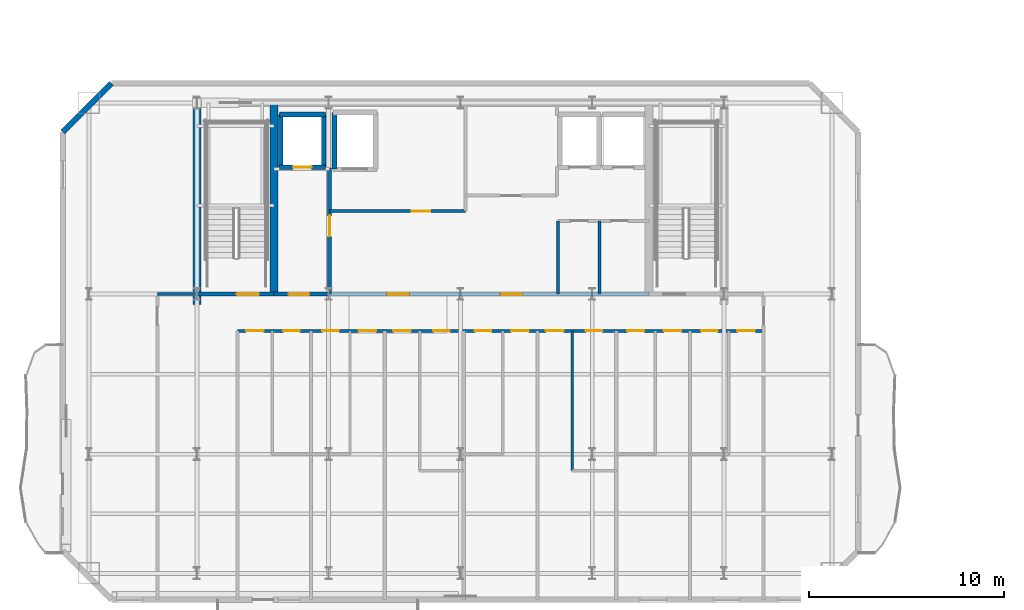
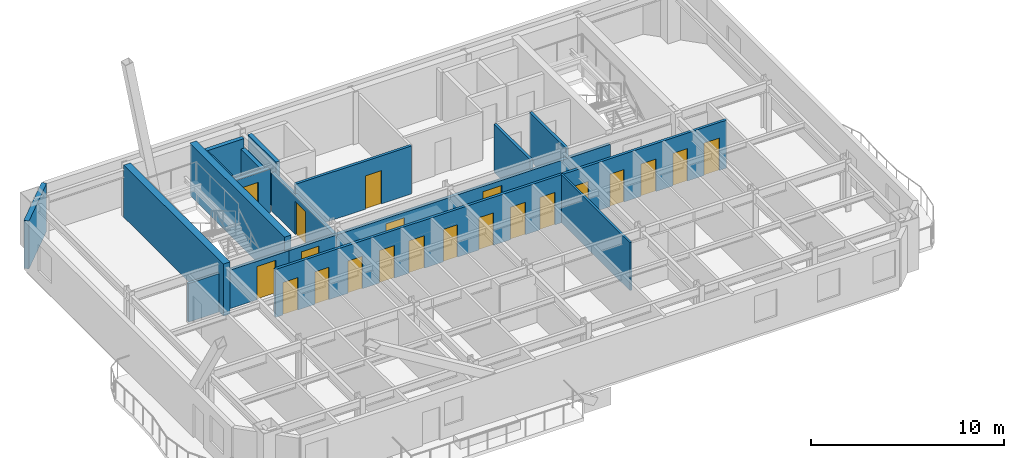
# One storey, part 6 of 14: 21 doors, 18 walls, 21 openings.
"""IFC4 building model written with IfcOpenShell, lengths in metres."""

from ifc_helpers import new_model, si_unit, direction, frame, frame_2d, origin, place, context, subcontext, project, spatial, rectangle, extrude, material, layer, layer_set, type_object, element, fill, save


model = new_model("IFC4")

# Units and contexts
model_context = context("Model", 3, precision=1e-05, world=origin(), true_north=direction((0.0, 1.0)))
body_context = subcontext(model_context, "Body", "Model", "MODEL_VIEW")
ifc_project = project(units=[si_unit("LENGTHUNIT", "METRE"), si_unit("AREAUNIT", "SQUARE_METRE"), si_unit("VOLUMEUNIT", "CUBIC_METRE"), si_unit("PLANEANGLEUNIT", "RADIAN"), si_unit("MASSUNIT", "GRAM", prefix="KILO")], contexts=[model_context])

# Site, building, storey
site_placement = place(None, origin())
site = spatial("IfcSite", under=ifc_project, at=site_placement, CompositionType="ELEMENT")
building_placement = place(site_placement, origin())
building = spatial("IfcBuilding", under=site, at=building_placement, Name="Haevon Station Towers", CompositionType="ELEMENT")
storey_placement = place(building_placement, frame((0.0, 0.0, 208.800048828125)))
storey = spatial("IfcBuildingStorey", under=building, at=storey_placement, Name="L57", CompositionType="ELEMENT", Elevation=208.800048828125)

# Wall, opening, door
ifc_material_1 = material(Name="Gypsum board on steel stud", Category="steel")
ifc_layer_1 = layer(ifc_material_1, 0.199951171875)
ifc_layer_set_1 = layer_set([ifc_layer_1], Name="Gypsum board on steel stud")
wall_type_1 = type_object("IfcWallType", Name="WL-COR200", PredefinedType="PARTITIONING", material=ifc_layer_set_1)
wall_1_placement = place(storey_placement, frame((24.0, 38.199951171875, 0.0), z_axis=(0.0, 0.0, 1.0), x_axis=(1.0, 0.0, 0.0)))
wall_1 = element("IfcWall", 1, at=wall_1_placement, inside=storey, type_object=wall_type_1, Name="WL-ST-ST1-L57", PredefinedType="PARTITIONING", context=body_context, shape_type="SweptSolid", body=[
    extrude(rectangle(XDim=3.949951171875, YDim=0.199951171875, at=frame_2d((1.97509765625, 0.0))), origin(), (0.0, 0.0, 1.0), 2.429931640625),
])
opening_1_placement = place(wall_1_placement, frame((2.050048828125, 0.0, 0.0)))
opening_1 = element("IfcOpeningElement", 2, at=opening_1_placement, cuts=wall_1, Name="Opening DR-ST-ST1-L57", PredefinedType="OPENING", context=body_context, shape_type="SweptSolid", body=[
    extrude(rectangle(XDim=1.1201171875, YDim=2.10009765625, at=frame_2d((0.56005859375, 1.050048828125))), frame((0.0, 0.10986328125, 0.0), z_axis=(0.0, -1.0, 0.0), x_axis=(1.0, 0.0, 0.0)), (0.0, 0.0, 1.0), 0.219970703125),
])
ifc_material_2 = material(Name="Engineered oak timber", Category="wood")
door_type_1 = type_object("IfcDoorType", Name="DR-ST-1120", OperationType="NOTDEFINED", PredefinedType="DOOR", material=ifc_material_2)
door_1_placement = place(opening_1_placement, origin())
door_1 = element("IfcDoor", 3, at=door_1_placement, inside=storey, type_object=door_type_1, Name="L57 Escape Stair ST1 Fire Door", OperationType="SINGLE_SWING_LEFT", OverallHeight=2.10009765625, OverallWidth=1.1201171875, PredefinedType="DOOR", context=body_context, shape_type="SweptSolid", body=[
    extrude(rectangle(XDim=1.1201171875, YDim=2.10009765625, at=frame_2d((0.56005859375, 1.050048828125))), frame((0.0, 0.02490234375, 0.0), z_axis=(0.0, -1.0, 0.0), x_axis=(1.0, 0.0, 0.0)), (0.0, 0.0, 1.0), 0.050048828125),
])
fill(opening_1, door_1)

wall_2_placement = place(storey_placement, frame((30.800048828125, 38.199951171875, 0.0), z_axis=(0.0, 0.0, 1.0), x_axis=(0.0, 1.0, 0.0)))
wall_2 = element("IfcWall", 4, at=wall_2_placement, inside=storey, type_object=wall_type_1, Name="WL-T1FFL-L57-E", PredefinedType="PARTITIONING", context=body_context, shape_type="SweptSolid", body=[
    extrude(rectangle(XDim=6.449951171875, YDim=0.199951171875, at=frame_2d((3.22509765625, 0.0))), origin(), (0.0, 0.0, 1.0), 2.429931640625),
])
opening_2_placement = place(wall_2_placement, frame((2.9599609375, 0.0, 0.0)))
opening_2 = element("IfcOpeningElement", 5, at=opening_2_placement, cuts=wall_2, Name="Opening DR-T1FFL-L57-E", PredefinedType="OPENING", context=body_context, shape_type="SweptSolid", body=[
    extrude(rectangle(XDim=1.050048828125, YDim=2.10009765625, at=frame_2d((0.52490234375, 1.050048828125))), frame((0.0, 0.10986328125, 0.0), z_axis=(0.0, -1.0, 0.0), x_axis=(1.0, 0.0, 0.0)), (0.0, 0.0, 1.0), 0.219970703125),
])
door_type_2 = type_object("IfcDoorType", Name="DR-FD60-1050", OperationType="NOTDEFINED", PredefinedType="DOOR", material=ifc_material_2)
door_2_placement = place(opening_2_placement, origin())
door_2 = element("IfcDoor", 6, at=door_2_placement, inside=storey, type_object=door_type_2, Name="L57 Tower 1 Firefighting Lift Lobby Door E", OperationType="SINGLE_SWING_LEFT", OverallHeight=2.10009765625, OverallWidth=1.050048828125, PredefinedType="DOOR", context=body_context, shape_type="SweptSolid", body=[
    extrude(rectangle(XDim=1.050048828125, YDim=2.10009765625, at=frame_2d((0.52490234375, 1.050048828125))), frame((0.0, 0.02490234375, 0.0), z_axis=(0.0, -1.0, 0.0), x_axis=(1.0, 0.0, 0.0)), (0.0, 0.0, 1.0), 0.050048828125),
])
fill(opening_2, door_2)

wall_3_placement = place(storey_placement, frame((27.949951171875, 38.199951171875, 0.0), z_axis=(0.0, 0.0, 1.0), x_axis=(1.0, 0.0, 0.0)))
wall_3 = element("IfcWall", 7, at=wall_3_placement, inside=storey, type_object=wall_type_1, Name="WL-T1FFL-L57-S", PredefinedType="PARTITIONING", context=body_context, shape_type="SweptSolid", body=[
    extrude(rectangle(XDim=2.85009765625, YDim=0.199951171875, at=frame_2d((1.425048828125, 0.0))), origin(), (0.0, 0.0, 1.0), 2.429931640625),
])
opening_3_placement = place(wall_3_placement, frame((0.75, 0.0, 0.0)))
opening_3 = element("IfcOpeningElement", 8, at=opening_3_placement, cuts=wall_3, Name="Opening DR-T1FFL-L57-S", PredefinedType="OPENING", context=body_context, shape_type="SweptSolid", body=[
    extrude(rectangle(XDim=1.050048828125, YDim=2.10009765625, at=frame_2d((0.52490234375, 1.050048828125))), frame((0.0, 0.10986328125, 0.0), z_axis=(0.0, -1.0, 0.0), x_axis=(1.0, 0.0, 0.0)), (0.0, 0.0, 1.0), 0.219970703125),
])
door_3_placement = place(opening_3_placement, origin())
door_3 = element("IfcDoor", 9, at=door_3_placement, inside=storey, type_object=door_type_2, Name="L57 Tower 1 Firefighting Lift Lobby Door S", OperationType="SINGLE_SWING_RIGHT", OverallHeight=2.10009765625, OverallWidth=1.050048828125, PredefinedType="DOOR", context=body_context, shape_type="SweptSolid", body=[
    extrude(rectangle(XDim=1.050048828125, YDim=2.10009765625, at=frame_2d((0.52490234375, 1.050048828125))), frame((0.0, 0.02490234375, 0.0), z_axis=(0.0, -1.0, 0.0), x_axis=(1.0, 0.0, 0.0)), (0.0, 0.0, 1.0), 0.050048828125),
])
fill(opening_3, door_3)

# Wall, openings, doors
wall_4_placement = place(storey_placement, frame((30.800048828125, 38.199951171875, 0.0), z_axis=(0.0, 0.0, 1.0), x_axis=(1.0, 0.0, 0.0)))
wall_4 = element("IfcWall", 10, at=wall_4_placement, inside=storey, type_object=wall_type_1, Name="WL-T1CLB-L57", PredefinedType="PARTITIONING", context=body_context, shape_type="SweptSolid", body=[
    extrude(rectangle(XDim=16.349853515625, YDim=0.199951171875, at=frame_2d((8.1748046875, 0.0))), origin(), (0.0, 0.0, 1.0), 2.429931640625),
])
opening_4_placement = place(wall_4_placement, frame((2.949951171875, 0.0, 0.0)))
opening_4 = element("IfcOpeningElement", 11, at=opening_4_placement, cuts=wall_4, Name="Opening DR-T1CLB-L57-1", PredefinedType="OPENING", context=body_context, shape_type="SweptSolid", body=[
    extrude(rectangle(XDim=1.1201171875, YDim=2.10009765625, at=frame_2d((0.56005859375, 1.050048828125))), frame((0.0, 0.10986328125, 0.0), z_axis=(0.0, -1.0, 0.0), x_axis=(1.0, 0.0, 0.0)), (0.0, 0.0, 1.0), 0.219970703125),
])
opening_5_placement = place(wall_4_placement, frame((8.75, 0.0, 0.0)))
opening_5 = element("IfcOpeningElement", 12, at=opening_5_placement, cuts=wall_4, Name="Opening DR-T1CLB-L57-2", PredefinedType="OPENING", context=body_context, shape_type="SweptSolid", body=[
    extrude(rectangle(XDim=1.1201171875, YDim=2.10009765625, at=frame_2d((0.56005859375, 1.050048828125))), frame((0.0, 0.10986328125, 0.0), z_axis=(0.0, -1.0, 0.0), x_axis=(1.0, 0.0, 0.0)), (0.0, 0.0, 1.0), 0.219970703125),
])
door_4_placement = place(opening_4_placement, origin())
door_4 = element("IfcDoor", 13, at=door_4_placement, inside=storey, type_object=door_type_1, Name="L57 Tower 1 Core Lift Lobby Door 1", OperationType="SINGLE_SWING_LEFT", OverallHeight=2.10009765625, OverallWidth=1.1201171875, PredefinedType="DOOR", context=body_context, shape_type="SweptSolid", body=[
    extrude(rectangle(XDim=1.1201171875, YDim=2.10009765625, at=frame_2d((0.56005859375, 1.050048828125))), frame((0.0, 0.02490234375, 0.0), z_axis=(0.0, -1.0, 0.0), x_axis=(1.0, 0.0, 0.0)), (0.0, 0.0, 1.0), 0.050048828125),
])
fill(opening_4, door_4)
door_5_placement = place(opening_5_placement, origin())
door_5 = element("IfcDoor", 14, at=door_5_placement, inside=storey, type_object=door_type_1, Name="L57 Tower 1 Core Lift Lobby Door 2", OperationType="SINGLE_SWING_RIGHT", OverallHeight=2.10009765625, OverallWidth=1.1201171875, PredefinedType="DOOR", context=body_context, shape_type="SweptSolid", body=[
    extrude(rectangle(XDim=1.1201171875, YDim=2.10009765625, at=frame_2d((0.56005859375, 1.050048828125))), frame((0.0, 0.02490234375, 0.0), z_axis=(0.0, -1.0, 0.0), x_axis=(1.0, 0.0, 0.0)), (0.0, 0.0, 1.0), 0.050048828125),
])
fill(opening_5, door_5)

# Walls
ifc_material_3 = material(Name="Concrete C60/75", Category="concrete")
ifc_layer_2 = layer(ifc_material_3, 0.39990234375)
ifc_layer_set_2 = layer_set([ifc_layer_2], Name="Concrete C60/75")
wall_type_2 = type_object("IfcWallType", Name="WL-CR400", PredefinedType="SHEAR", material=ifc_layer_set_2)
wall_5_placement = place(storey_placement, frame((24.0, 37.679931640625, 0.0), z_axis=(0.0, 0.0, 1.0), x_axis=(0.0, 1.0, 0.0)))
element("IfcWall", 15, at=wall_5_placement, inside=storey, type_object=wall_type_2, Name="WL-T1CR-L57-W", PredefinedType="SHEAR", context=body_context, shape_type="SweptSolid", body=[
    extrude(rectangle(XDim=10.320068359375, YDim=0.39990234375, at=frame_2d((5.16015625, 0.0))), origin(), (0.0, 0.0, 1.0), 3.300048828125),
])
wall_6_placement = place(storey_placement, frame((27.949951171875, 38.199951171875, 0.0), z_axis=(0.0, 0.0, 1.0), x_axis=(0.0, 1.0, 0.0)))
element("IfcWall", 16, at=wall_6_placement, inside=storey, type_object=wall_type_2, Name="WL-T1CR-L57-M1", PredefinedType="SHEAR", context=body_context, shape_type="SweptSolid", body=[
    extrude(rectangle(XDim=9.800048828125, YDim=0.39990234375, at=frame_2d((4.89990234375, 0.0))), origin(), (0.0, 0.0, 1.0), 3.300048828125),
])
ifc_material_4 = material(Name="Precast concrete C45/55", Category="concrete")
ifc_layer_3 = layer(ifc_material_4, 0.280029296875)
ifc_layer_set_3 = layer_set([ifc_layer_3], Name="Precast concrete C45/55")
wall_type_3 = type_object("IfcWallType", Name="WL-EXT-PIER280", PredefinedType="SOLIDWALL", material=ifc_layer_set_3)
wall_7_placement = place(storey_placement, frame((17.125, 46.5, 0.0), z_axis=(0.0, 0.0, 1.0), x_axis=(0.707106781187, 0.707106781187, 0.0)))
element("IfcWall", 17, at=wall_7_placement, inside=storey, type_object=wall_type_3, Name="WL-T1-L57-NWC", PredefinedType="SOLIDWALL", context=body_context, shape_type="SweptSolid", body=[
    extrude(rectangle(XDim=3.53564453125, YDim=0.280029296875, at=frame_2d((1.767822265625, 0.0))), origin(), (0.0, 0.0, 1.0), 3.030029296875),
])
ifc_layer_4 = layer(ifc_material_1, 0.125)
ifc_layer_set_4 = layer_set([ifc_layer_4], Name="Gypsum board on steel stud")
wall_type_4 = type_object("IfcWallType", Name="WL-PRT125", PredefinedType="PARTITIONING", material=ifc_layer_set_4)
wall_8_placement = place(storey_placement, frame((43.218505859375, 29.158935546875, 0.0), z_axis=(0.0, 0.0, 1.0), x_axis=(0.0, 1.0, 0.0)))
element("IfcWall", 18, at=wall_8_placement, inside=storey, type_object=wall_type_4, Name="WL-T1PT-L57-19", PredefinedType="PARTITIONING", context=body_context, shape_type="SweptSolid", body=[
    extrude(rectangle(XDim=7.1611328125, YDim=0.125, at=frame_2d((3.58056640625, 0.0))), origin(), (0.0, 0.0, 1.0), 3.030029296875),
])

# Wall, opening, door
ifc_layer_5 = layer(ifc_material_1, 0.159912109375)
ifc_layer_set_5 = layer_set([ifc_layer_5], Name="Gypsum board on steel stud")
wall_type_5 = type_object("IfcWallType", Name="WL-PRT160", PredefinedType="PARTITIONING", material=ifc_layer_set_5)
wall_9_placement = place(storey_placement, frame((30.800048828125, 42.449951171875, 0.0), z_axis=(0.0, 0.0, 1.0), x_axis=(1.0, 0.0, 0.0)))
wall_9 = element("IfcWall", 19, at=wall_9_placement, inside=storey, type_object=wall_type_5, Name="WL-T1CW-L57-01", PredefinedType="PARTITIONING", context=body_context, shape_type="SweptSolid", body=[
    extrude(rectangle(XDim=6.949951171875, YDim=0.159912109375, at=frame_2d((3.47509765625, 0.0))), origin(), (0.0, 0.0, 1.0), 3.030029296875),
])
opening_6_placement = place(wall_9_placement, frame((4.199951171875, 0.0, 0.0)))
opening_6 = element("IfcOpeningElement", 20, at=opening_6_placement, cuts=wall_9, Name="Opening DR-WL-T1CW-L57-01-1", PredefinedType="OPENING", context=body_context, shape_type="SweptSolid", body=[
    extrude(rectangle(XDim=0.949951171875, YDim=2.10009765625, at=frame_2d((0.47509765625, 1.050048828125))), frame((0.0, 0.08984375, 0.0), z_axis=(0.0, -1.0, 0.0), x_axis=(1.0, 0.0, 0.0)), (0.0, 0.0, 1.0), 0.179931640625),
])
door_type_3 = type_object("IfcDoorType", Name="DR-FD60-950", OperationType="NOTDEFINED", PredefinedType="DOOR", material=ifc_material_2)
door_6_placement = place(opening_6_placement, origin())
door_6 = element("IfcDoor", 21, at=door_6_placement, inside=storey, type_object=door_type_3, Name="L57 Tower 1 Core Room Door 1-1", OperationType="SINGLE_SWING_LEFT", OverallHeight=2.10009765625, OverallWidth=0.949951171875, PredefinedType="DOOR", context=body_context, shape_type="SweptSolid", body=[
    extrude(rectangle(XDim=0.949951171875, YDim=2.10009765625, at=frame_2d((0.47509765625, 1.050048828125))), frame((0.0, 0.02490234375, 0.0), z_axis=(0.0, -1.0, 0.0), x_axis=(1.0, 0.0, 0.0)), (0.0, 0.0, 1.0), 0.050048828125),
])
fill(opening_6, door_6)

# Walls
for number, where, z_axis, x_axis, name in (
    (22, (42.5, 38.199951171875, 0.0), (0.0, 0.0, 1.0), (0.0, 1.0, 0.0), "WL-T1CW-L57-06"),
    (23, (44.6298828125, 38.199951171875, 0.0), (0.0, 0.0, 1.0), (0.0, 1.0, 0.0), "WL-T1CW-L57-07"),
):
    element("IfcWall", number, at=place(storey_placement, frame(where, z_axis=z_axis, x_axis=x_axis)), inside=storey, type_object=wall_type_5, Name=name, PredefinedType="PARTITIONING", context=body_context, shape_type="SweptSolid", body=[
        extrude(rectangle(XDim=3.75, YDim=0.159912109375, at=frame_2d((1.875, 0.0))), origin(), (0.0, 0.0, 1.0), 3.030029296875),
    ])
wall_10_placement = place(storey_placement, frame((21.97509765625, 38.199951171875, 0.0), z_axis=(0.0, 0.0, 1.0), x_axis=(1.0, 0.0, 0.0)))
element("IfcWall", 24, at=wall_10_placement, inside=storey, type_object=wall_type_5, Name="WL-T1PT-L57-02", PredefinedType="PARTITIONING", context=body_context, shape_type="SweptSolid", body=[
    extrude(rectangle(XDim=2.02490234375, YDim=0.159912109375, at=frame_2d((1.012451171875, 0.0))), origin(), (0.0, 0.0, 1.0), 2.429931640625),
])

# Wall, openings, doors
wall_11_placement = place(storey_placement, frame((26.080078125, 36.320068359375, 0.0), z_axis=(0.0, 0.0, 1.0), x_axis=(1.0, 0.0, 0.0)))
wall_11 = element("IfcWall", 25, at=wall_11_placement, inside=storey, type_object=wall_type_5, Name="WL-T1PT-L57-26", PredefinedType="PARTITIONING", context=body_context, shape_type="SweptSolid", body=[
    extrude(rectangle(XDim=26.94482421875, YDim=0.159912109375, at=frame_2d((13.472412109375, 0.0))), origin(), (0.0, 0.0, 1.0), 3.030029296875),
])
opening_7_placement = place(wall_11_placement, frame((2.35107421875, 0.0, 0.0)))
opening_7 = element("IfcOpeningElement", 26, at=opening_7_placement, cuts=wall_11, Name="Opening DR-WL-T1PT-L57-26-01", PredefinedType="OPENING", context=body_context, shape_type="SweptSolid", body=[
    extrude(rectangle(XDim=0.85009765625, YDim=2.050048828125, at=frame_2d((0.425048828125, 1.02490234375))), frame((0.0, 0.08984375, 0.0), z_axis=(0.0, -1.0, 0.0), x_axis=(1.0, 0.0, 0.0)), (0.0, 0.0, 1.0), 0.179931640625),
])
opening_8_placement = place(wall_11_placement, frame((0.43994140625, 0.0, 0.0)))
opening_8 = element("IfcOpeningElement", 27, at=opening_8_placement, cuts=wall_11, Name="Opening DR-WL-T1PT-L57-26-02", PredefinedType="OPENING", context=body_context, shape_type="SweptSolid", body=[
    extrude(rectangle(XDim=0.89990234375, YDim=2.050048828125, at=frame_2d((0.449951171875, 1.02490234375))), frame((0.0, 0.08984375, 0.0), z_axis=(0.0, -1.0, 0.0), x_axis=(1.0, 0.0, 0.0)), (0.0, 0.0, 1.0), 0.179931640625),
])
opening_9_placement = place(wall_11_placement, frame((4.343017578125, 0.0, 0.0)))
opening_9 = element("IfcOpeningElement", 28, at=opening_9_placement, cuts=wall_11, Name="Opening DR-WL-T1PT-L57-26-03", PredefinedType="OPENING", context=body_context, shape_type="SweptSolid", body=[
    extrude(rectangle(XDim=0.85009765625, YDim=2.050048828125, at=frame_2d((0.425048828125, 1.02490234375))), frame((0.0, 0.08984375, 0.0), z_axis=(0.0, -1.0, 0.0), x_axis=(1.0, 0.0, 0.0)), (0.0, 0.0, 1.0), 0.179931640625),
])
opening_10_placement = place(wall_11_placement, frame((6.205078125, 0.0, 0.0)))
opening_10 = element("IfcOpeningElement", 29, at=opening_10_placement, cuts=wall_11, Name="Opening DR-WL-T1PT-L57-26-04", PredefinedType="OPENING", context=body_context, shape_type="SweptSolid", body=[
    extrude(rectangle(XDim=0.89990234375, YDim=2.050048828125, at=frame_2d((0.449951171875, 1.02490234375))), frame((0.0, 0.08984375, 0.0), z_axis=(0.0, -1.0, 0.0), x_axis=(1.0, 0.0, 0.0)), (0.0, 0.0, 1.0), 0.179931640625),
])
opening_11_placement = place(wall_11_placement, frame((10.030029296875, 0.0, 0.0)))
opening_11 = element("IfcOpeningElement", 30, at=opening_11_placement, cuts=wall_11, Name="Opening DR-WL-T1PT-L57-26-05", PredefinedType="OPENING", context=body_context, shape_type="SweptSolid", body=[
    extrude(rectangle(XDim=0.85009765625, YDim=2.050048828125, at=frame_2d((0.425048828125, 1.02490234375))), frame((0.0, 0.08984375, 0.0), z_axis=(0.0, -1.0, 0.0), x_axis=(1.0, 0.0, 0.0)), (0.0, 0.0, 1.0), 0.179931640625),
])
opening_12_placement = place(wall_11_placement, frame((7.985107421875, 0.0, 0.0)))
opening_12 = element("IfcOpeningElement", 31, at=opening_12_placement, cuts=wall_11, Name="Opening DR-WL-T1PT-L57-26-06", PredefinedType="OPENING", context=body_context, shape_type="SweptSolid", body=[
    extrude(rectangle(XDim=0.89990234375, YDim=2.050048828125, at=frame_2d((0.449951171875, 1.02490234375))), frame((0.0, 0.08984375, 0.0), z_axis=(0.0, -1.0, 0.0), x_axis=(1.0, 0.0, 0.0)), (0.0, 0.0, 1.0), 0.179931640625),
])
opening_13_placement = place(wall_11_placement, frame((12.156982421875, 0.0, 0.0)))
opening_13 = element("IfcOpeningElement", 32, at=opening_13_placement, cuts=wall_11, Name="Opening DR-WL-T1PT-L57-26-07", PredefinedType="OPENING", context=body_context, shape_type="SweptSolid", body=[
    extrude(rectangle(XDim=0.85009765625, YDim=2.050048828125, at=frame_2d((0.425048828125, 1.02490234375))), frame((0.0, 0.08984375, 0.0), z_axis=(0.0, -1.0, 0.0), x_axis=(1.0, 0.0, 0.0)), (0.0, 0.0, 1.0), 0.179931640625),
])
opening_14_placement = place(wall_11_placement, frame((14.01904296875, 0.0, 0.0)))
opening_14 = element("IfcOpeningElement", 33, at=opening_14_placement, cuts=wall_11, Name="Opening DR-WL-T1PT-L57-26-08", PredefinedType="OPENING", context=body_context, shape_type="SweptSolid", body=[
    extrude(rectangle(XDim=0.89990234375, YDim=2.050048828125, at=frame_2d((0.449951171875, 1.02490234375))), frame((0.0, 0.08984375, 0.0), z_axis=(0.0, -1.0, 0.0), x_axis=(1.0, 0.0, 0.0)), (0.0, 0.0, 1.0), 0.179931640625),
])
opening_15_placement = place(wall_11_placement, frame((17.844970703125, 0.0, 0.0)))
opening_15 = element("IfcOpeningElement", 34, at=opening_15_placement, cuts=wall_11, Name="Opening DR-WL-T1PT-L57-26-09", PredefinedType="OPENING", context=body_context, shape_type="SweptSolid", body=[
    extrude(rectangle(XDim=0.85009765625, YDim=2.050048828125, at=frame_2d((0.425048828125, 1.02490234375))), frame((0.0, 0.08984375, 0.0), z_axis=(0.0, -1.0, 0.0), x_axis=(1.0, 0.0, 0.0)), (0.0, 0.0, 1.0), 0.179931640625),
])
opening_16_placement = place(wall_11_placement, frame((15.799072265625, 0.0, 0.0)))
opening_16 = element("IfcOpeningElement", 35, at=opening_16_placement, cuts=wall_11, Name="Opening DR-WL-T1PT-L57-26-10", PredefinedType="OPENING", context=body_context, shape_type="SweptSolid", body=[
    extrude(rectangle(XDim=0.89990234375, YDim=2.050048828125, at=frame_2d((0.449951171875, 1.02490234375))), frame((0.0, 0.08984375, 0.0), z_axis=(0.0, -1.0, 0.0), x_axis=(1.0, 0.0, 0.0)), (0.0, 0.0, 1.0), 0.179931640625),
])
opening_17_placement = place(wall_11_placement, frame((19.971923828125, 0.0, 0.0)))
opening_17 = element("IfcOpeningElement", 36, at=opening_17_placement, cuts=wall_11, Name="Opening DR-WL-T1PT-L57-26-11", PredefinedType="OPENING", context=body_context, shape_type="SweptSolid", body=[
    extrude(rectangle(XDim=0.85009765625, YDim=2.050048828125, at=frame_2d((0.425048828125, 1.02490234375))), frame((0.0, 0.08984375, 0.0), z_axis=(0.0, -1.0, 0.0), x_axis=(1.0, 0.0, 0.0)), (0.0, 0.0, 1.0), 0.179931640625),
])
opening_18_placement = place(wall_11_placement, frame((21.8330078125, 0.0, 0.0)))
opening_18 = element("IfcOpeningElement", 37, at=opening_18_placement, cuts=wall_11, Name="Opening DR-WL-T1PT-L57-26-12", PredefinedType="OPENING", context=body_context, shape_type="SweptSolid", body=[
    extrude(rectangle(XDim=0.89990234375, YDim=2.050048828125, at=frame_2d((0.449951171875, 1.02490234375))), frame((0.0, 0.08984375, 0.0), z_axis=(0.0, -1.0, 0.0), x_axis=(1.0, 0.0, 0.0)), (0.0, 0.0, 1.0), 0.179931640625),
])
opening_19_placement = place(wall_11_placement, frame((23.743896484375, 0.0, 0.0)))
opening_19 = element("IfcOpeningElement", 38, at=opening_19_placement, cuts=wall_11, Name="Opening DR-WL-T1PT-L57-26-13", PredefinedType="OPENING", context=body_context, shape_type="SweptSolid", body=[
    extrude(rectangle(XDim=0.85009765625, YDim=2.050048828125, at=frame_2d((0.425048828125, 1.02490234375))), frame((0.0, 0.08984375, 0.0), z_axis=(0.0, -1.0, 0.0), x_axis=(1.0, 0.0, 0.0)), (0.0, 0.0, 1.0), 0.179931640625),
])
opening_20_placement = place(wall_11_placement, frame((25.60498046875, 0.0, 0.0)))
opening_20 = element("IfcOpeningElement", 39, at=opening_20_placement, cuts=wall_11, Name="Opening DR-WL-T1PT-L57-26-14", PredefinedType="OPENING", context=body_context, shape_type="SweptSolid", body=[
    extrude(rectangle(XDim=0.89990234375, YDim=2.050048828125, at=frame_2d((0.449951171875, 1.02490234375))), frame((0.0, 0.08984375, 0.0), z_axis=(0.0, -1.0, 0.0), x_axis=(1.0, 0.0, 0.0)), (0.0, 0.0, 1.0), 0.179931640625),
])
door_type_4 = type_object("IfcDoorType", Name="DR-FD30-850", OperationType="NOTDEFINED", PredefinedType="DOOR", material=ifc_material_2)
door_7_placement = place(opening_7_placement, origin())
door_7 = element("IfcDoor", 40, at=door_7_placement, inside=storey, type_object=door_type_4, Name="L57 Tower 1 Room Door 26-1", OperationType="SINGLE_SWING_LEFT", OverallHeight=2.050048828125, OverallWidth=0.85009765625, PredefinedType="DOOR", context=body_context, shape_type="SweptSolid", body=[
    extrude(rectangle(XDim=0.85009765625, YDim=2.050048828125, at=frame_2d((0.425048828125, 1.02490234375))), frame((0.0, 0.02490234375, 0.0), z_axis=(0.0, -1.0, 0.0), x_axis=(1.0, 0.0, 0.0)), (0.0, 0.0, 1.0), 0.050048828125),
])
fill(opening_7, door_7)
door_8_placement = place(opening_9_placement, origin())
door_8 = element("IfcDoor", 41, at=door_8_placement, inside=storey, type_object=door_type_4, Name="L57 Tower 1 Room Door 26-3", OperationType="SINGLE_SWING_LEFT", OverallHeight=2.050048828125, OverallWidth=0.85009765625, PredefinedType="DOOR", context=body_context, shape_type="SweptSolid", body=[
    extrude(rectangle(XDim=0.85009765625, YDim=2.050048828125, at=frame_2d((0.425048828125, 1.02490234375))), frame((0.0, 0.02490234375, 0.0), z_axis=(0.0, -1.0, 0.0), x_axis=(1.0, 0.0, 0.0)), (0.0, 0.0, 1.0), 0.050048828125),
])
fill(opening_9, door_8)
door_9_placement = place(opening_11_placement, origin())
door_9 = element("IfcDoor", 42, at=door_9_placement, inside=storey, type_object=door_type_4, Name="L57 Tower 1 Room Door 26-5", OperationType="SINGLE_SWING_LEFT", OverallHeight=2.050048828125, OverallWidth=0.85009765625, PredefinedType="DOOR", context=body_context, shape_type="SweptSolid", body=[
    extrude(rectangle(XDim=0.85009765625, YDim=2.050048828125, at=frame_2d((0.425048828125, 1.02490234375))), frame((0.0, 0.02490234375, 0.0), z_axis=(0.0, -1.0, 0.0), x_axis=(1.0, 0.0, 0.0)), (0.0, 0.0, 1.0), 0.050048828125),
])
fill(opening_11, door_9)
door_10_placement = place(opening_13_placement, origin())
door_10 = element("IfcDoor", 43, at=door_10_placement, inside=storey, type_object=door_type_4, Name="L57 Tower 1 Room Door 26-7", OperationType="SINGLE_SWING_LEFT", OverallHeight=2.050048828125, OverallWidth=0.85009765625, PredefinedType="DOOR", context=body_context, shape_type="SweptSolid", body=[
    extrude(rectangle(XDim=0.85009765625, YDim=2.050048828125, at=frame_2d((0.425048828125, 1.02490234375))), frame((0.0, 0.02490234375, 0.0), z_axis=(0.0, -1.0, 0.0), x_axis=(1.0, 0.0, 0.0)), (0.0, 0.0, 1.0), 0.050048828125),
])
fill(opening_13, door_10)
door_11_placement = place(opening_15_placement, origin())
door_11 = element("IfcDoor", 44, at=door_11_placement, inside=storey, type_object=door_type_4, Name="L57 Tower 1 Room Door 26-9", OperationType="SINGLE_SWING_LEFT", OverallHeight=2.050048828125, OverallWidth=0.85009765625, PredefinedType="DOOR", context=body_context, shape_type="SweptSolid", body=[
    extrude(rectangle(XDim=0.85009765625, YDim=2.050048828125, at=frame_2d((0.425048828125, 1.02490234375))), frame((0.0, 0.02490234375, 0.0), z_axis=(0.0, -1.0, 0.0), x_axis=(1.0, 0.0, 0.0)), (0.0, 0.0, 1.0), 0.050048828125),
])
fill(opening_15, door_11)
door_12_placement = place(opening_17_placement, origin())
door_12 = element("IfcDoor", 45, at=door_12_placement, inside=storey, type_object=door_type_4, Name="L57 Tower 1 Room Door 26-11", OperationType="SINGLE_SWING_LEFT", OverallHeight=2.050048828125, OverallWidth=0.85009765625, PredefinedType="DOOR", context=body_context, shape_type="SweptSolid", body=[
    extrude(rectangle(XDim=0.85009765625, YDim=2.050048828125, at=frame_2d((0.425048828125, 1.02490234375))), frame((0.0, 0.02490234375, 0.0), z_axis=(0.0, -1.0, 0.0), x_axis=(1.0, 0.0, 0.0)), (0.0, 0.0, 1.0), 0.050048828125),
])
fill(opening_17, door_12)
door_13_placement = place(opening_19_placement, origin())
door_13 = element("IfcDoor", 46, at=door_13_placement, inside=storey, type_object=door_type_4, Name="L57 Tower 1 Room Door 26-13", OperationType="SINGLE_SWING_LEFT", OverallHeight=2.050048828125, OverallWidth=0.85009765625, PredefinedType="DOOR", context=body_context, shape_type="SweptSolid", body=[
    extrude(rectangle(XDim=0.85009765625, YDim=2.050048828125, at=frame_2d((0.425048828125, 1.02490234375))), frame((0.0, 0.02490234375, 0.0), z_axis=(0.0, -1.0, 0.0), x_axis=(1.0, 0.0, 0.0)), (0.0, 0.0, 1.0), 0.050048828125),
])
fill(opening_19, door_13)
door_type_5 = type_object("IfcDoorType", Name="DR-INT-900", OperationType="NOTDEFINED", PredefinedType="DOOR", material=ifc_material_2)
door_14_placement = place(opening_8_placement, origin())
door_14 = element("IfcDoor", 47, at=door_14_placement, inside=storey, type_object=door_type_5, Name="L57 Tower 1 Room Door 26-2", OperationType="SINGLE_SWING_RIGHT", OverallHeight=2.050048828125, OverallWidth=0.89990234375, PredefinedType="DOOR", context=body_context, shape_type="SweptSolid", body=[
    extrude(rectangle(XDim=0.89990234375, YDim=2.050048828125, at=frame_2d((0.449951171875, 1.02490234375))), frame((0.0, 0.02490234375, 0.0), z_axis=(0.0, -1.0, 0.0), x_axis=(1.0, 0.0, 0.0)), (0.0, 0.0, 1.0), 0.050048828125),
])
fill(opening_8, door_14)
door_15_placement = place(opening_10_placement, origin())
door_15 = element("IfcDoor", 48, at=door_15_placement, inside=storey, type_object=door_type_5, Name="L57 Tower 1 Room Door 26-4", OperationType="SINGLE_SWING_RIGHT", OverallHeight=2.050048828125, OverallWidth=0.89990234375, PredefinedType="DOOR", context=body_context, shape_type="SweptSolid", body=[
    extrude(rectangle(XDim=0.89990234375, YDim=2.050048828125, at=frame_2d((0.449951171875, 1.02490234375))), frame((0.0, 0.02490234375, 0.0), z_axis=(0.0, -1.0, 0.0), x_axis=(1.0, 0.0, 0.0)), (0.0, 0.0, 1.0), 0.050048828125),
])
fill(opening_10, door_15)
door_16_placement = place(opening_12_placement, origin())
door_16 = element("IfcDoor", 49, at=door_16_placement, inside=storey, type_object=door_type_5, Name="L57 Tower 1 Room Door 26-6", OperationType="SINGLE_SWING_RIGHT", OverallHeight=2.050048828125, OverallWidth=0.89990234375, PredefinedType="DOOR", context=body_context, shape_type="SweptSolid", body=[
    extrude(rectangle(XDim=0.89990234375, YDim=2.050048828125, at=frame_2d((0.449951171875, 1.02490234375))), frame((0.0, 0.02490234375, 0.0), z_axis=(0.0, -1.0, 0.0), x_axis=(1.0, 0.0, 0.0)), (0.0, 0.0, 1.0), 0.050048828125),
])
fill(opening_12, door_16)
door_17_placement = place(opening_14_placement, origin())
door_17 = element("IfcDoor", 50, at=door_17_placement, inside=storey, type_object=door_type_5, Name="L57 Tower 1 Room Door 26-8", OperationType="SINGLE_SWING_RIGHT", OverallHeight=2.050048828125, OverallWidth=0.89990234375, PredefinedType="DOOR", context=body_context, shape_type="SweptSolid", body=[
    extrude(rectangle(XDim=0.89990234375, YDim=2.050048828125, at=frame_2d((0.449951171875, 1.02490234375))), frame((0.0, 0.02490234375, 0.0), z_axis=(0.0, -1.0, 0.0), x_axis=(1.0, 0.0, 0.0)), (0.0, 0.0, 1.0), 0.050048828125),
])
fill(opening_14, door_17)
door_18_placement = place(opening_16_placement, origin())
door_18 = element("IfcDoor", 51, at=door_18_placement, inside=storey, type_object=door_type_5, Name="L57 Tower 1 Room Door 26-10", OperationType="SINGLE_SWING_RIGHT", OverallHeight=2.050048828125, OverallWidth=0.89990234375, PredefinedType="DOOR", context=body_context, shape_type="SweptSolid", body=[
    extrude(rectangle(XDim=0.89990234375, YDim=2.050048828125, at=frame_2d((0.449951171875, 1.02490234375))), frame((0.0, 0.02490234375, 0.0), z_axis=(0.0, -1.0, 0.0), x_axis=(1.0, 0.0, 0.0)), (0.0, 0.0, 1.0), 0.050048828125),
])
fill(opening_16, door_18)
door_19_placement = place(opening_18_placement, origin())
door_19 = element("IfcDoor", 52, at=door_19_placement, inside=storey, type_object=door_type_5, Name="L57 Tower 1 Room Door 26-12", OperationType="SINGLE_SWING_RIGHT", OverallHeight=2.050048828125, OverallWidth=0.89990234375, PredefinedType="DOOR", context=body_context, shape_type="SweptSolid", body=[
    extrude(rectangle(XDim=0.89990234375, YDim=2.050048828125, at=frame_2d((0.449951171875, 1.02490234375))), frame((0.0, 0.02490234375, 0.0), z_axis=(0.0, -1.0, 0.0), x_axis=(1.0, 0.0, 0.0)), (0.0, 0.0, 1.0), 0.050048828125),
])
fill(opening_18, door_19)
door_20_placement = place(opening_20_placement, origin())
door_20 = element("IfcDoor", 53, at=door_20_placement, inside=storey, type_object=door_type_5, Name="L57 Tower 1 Room Door 26-14", OperationType="SINGLE_SWING_RIGHT", OverallHeight=2.050048828125, OverallWidth=0.89990234375, PredefinedType="DOOR", context=body_context, shape_type="SweptSolid", body=[
    extrude(rectangle(XDim=0.89990234375, YDim=2.050048828125, at=frame_2d((0.449951171875, 1.02490234375))), frame((0.0, 0.02490234375, 0.0), z_axis=(0.0, -1.0, 0.0), x_axis=(1.0, 0.0, 0.0)), (0.0, 0.0, 1.0), 0.050048828125),
])
fill(opening_20, door_20)

# Wall, opening, door
ifc_material_5 = material(Name="Concrete C40/50", Category="concrete")
ifc_layer_6 = layer(ifc_material_5, 0.239990234375)
ifc_layer_set_6 = layer_set([ifc_layer_6], Name="Concrete C40/50")
wall_type_6 = type_object("IfcWallType", Name="WL-SHF240", PredefinedType="PARTITIONING", material=ifc_layer_set_6)
wall_12_placement = place(storey_placement, frame((28.219970703125, 44.699951171875, 0.0), z_axis=(0.0, 0.0, 1.0), x_axis=(1.0, 0.0, 0.0)))
wall_12 = element("IfcWall", 54, at=wall_12_placement, inside=storey, type_object=wall_type_6, Name="WL-SHF-FL1-L57", PredefinedType="PARTITIONING", context=body_context, shape_type="SweptSolid", body=[
    extrude(rectangle(XDim=2.360107421875, YDim=0.239990234375, at=frame_2d((1.18017578125, 0.0))), origin(), (0.0, 0.0, 1.0), 2.72998046875),
])
opening_21_placement = place(wall_12_placement, frame((0.705078125, 0.0, 0.0)))
opening_21 = element("IfcOpeningElement", 55, at=opening_21_placement, cuts=wall_12, Name="Opening LD-FL1-L57", PredefinedType="OPENING", context=body_context, shape_type="SweptSolid", body=[
    extrude(rectangle(XDim=0.949951171875, YDim=2.14990234375, at=frame_2d((0.47509765625, 1.074951171875))), frame((0.0, 0.1298828125, 0.0), z_axis=(0.0, -1.0, 0.0), x_axis=(1.0, 0.0, 0.0)), (0.0, 0.0, 1.0), 0.260009765625),
])
ifc_material_6 = material(Name="Stainless steel and rated core", Category="steel")
door_type_6 = type_object("IfcDoorType", Name="LD-FL950", OperationType="SLIDING_TO_LEFT", PredefinedType="DOOR", material=ifc_material_6)
door_21_placement = place(opening_21_placement, origin())
door_21 = element("IfcDoor", 56, at=door_21_placement, inside=storey, type_object=door_type_6, Name="L57 Lift FL1 Sliding Landing Door", OperationType="SLIDING_TO_LEFT", OverallHeight=2.14990234375, OverallWidth=0.949951171875, PredefinedType="DOOR", context=body_context, shape_type="SweptSolid", body=[
    extrude(rectangle(XDim=0.949951171875, YDim=2.14990234375, at=frame_2d((0.47509765625, 1.074951171875))), frame((0.0, 0.02490234375, 0.0), z_axis=(0.0, -1.0, 0.0), x_axis=(1.0, 0.0, 0.0)), (0.0, 0.0, 1.0), 0.050048828125),
])
fill(opening_21, door_21)

# Walls
wall_13_placement = place(storey_placement, frame((28.219970703125, 47.39990234375, 0.0), z_axis=(0.0, 0.0, 1.0), x_axis=(1.0, 0.0, 0.0)))
element("IfcWall", 57, at=wall_13_placement, inside=storey, type_object=wall_type_6, Name="WL-SHF-FL1-L57-N", PredefinedType="PARTITIONING", context=body_context, shape_type="SweptSolid", body=[
    extrude(rectangle(XDim=2.360107421875, YDim=0.239990234375, at=frame_2d((1.18017578125, 0.0))), origin(), (0.0, 0.0, 1.0), 3.030029296875),
])
wall_14_placement = place(storey_placement, frame((28.300048828125, 44.699951171875, 0.0), z_axis=(0.0, 0.0, 1.0), x_axis=(0.0, 1.0, 0.0)))
element("IfcWall", 58, at=wall_14_placement, inside=storey, type_object=wall_type_6, Name="WL-SHF-FL1-L57-W", PredefinedType="PARTITIONING", context=body_context, shape_type="SweptSolid", body=[
    extrude(rectangle(XDim=2.699951171875, YDim=0.239990234375, at=frame_2d((1.35009765625, 0.0))), origin(), (0.0, 0.0, 1.0), 3.030029296875),
])
wall_15_placement = place(storey_placement, frame((30.5, 44.699951171875, 0.0), z_axis=(0.0, 0.0, 1.0), x_axis=(0.0, 1.0, 0.0)))
element("IfcWall", 59, at=wall_15_placement, inside=storey, type_object=wall_type_6, Name="WL-SHF-FL1-L57-E", PredefinedType="PARTITIONING", context=body_context, shape_type="SweptSolid", body=[
    extrude(rectangle(XDim=2.699951171875, YDim=0.239990234375, at=frame_2d((1.35009765625, 0.0))), origin(), (0.0, 0.0, 1.0), 2.429931640625),
])
wall_16_placement = place(storey_placement, frame((31.050048828125, 44.60009765625, 0.0), z_axis=(0.0, 0.0, 1.0), x_axis=(0.0, 1.0, 0.0)))
element("IfcWall", 60, at=wall_16_placement, inside=storey, type_object=wall_type_6, Name="WL-SHF-SL1-L57-W", PredefinedType="PARTITIONING", context=body_context, shape_type="SweptSolid", body=[
    extrude(rectangle(XDim=2.89990234375, YDim=0.239990234375, at=frame_2d((1.449951171875, 0.0))), origin(), (0.0, 0.0, 1.0), 3.030029296875),
])

save(model, "model.ifc")
